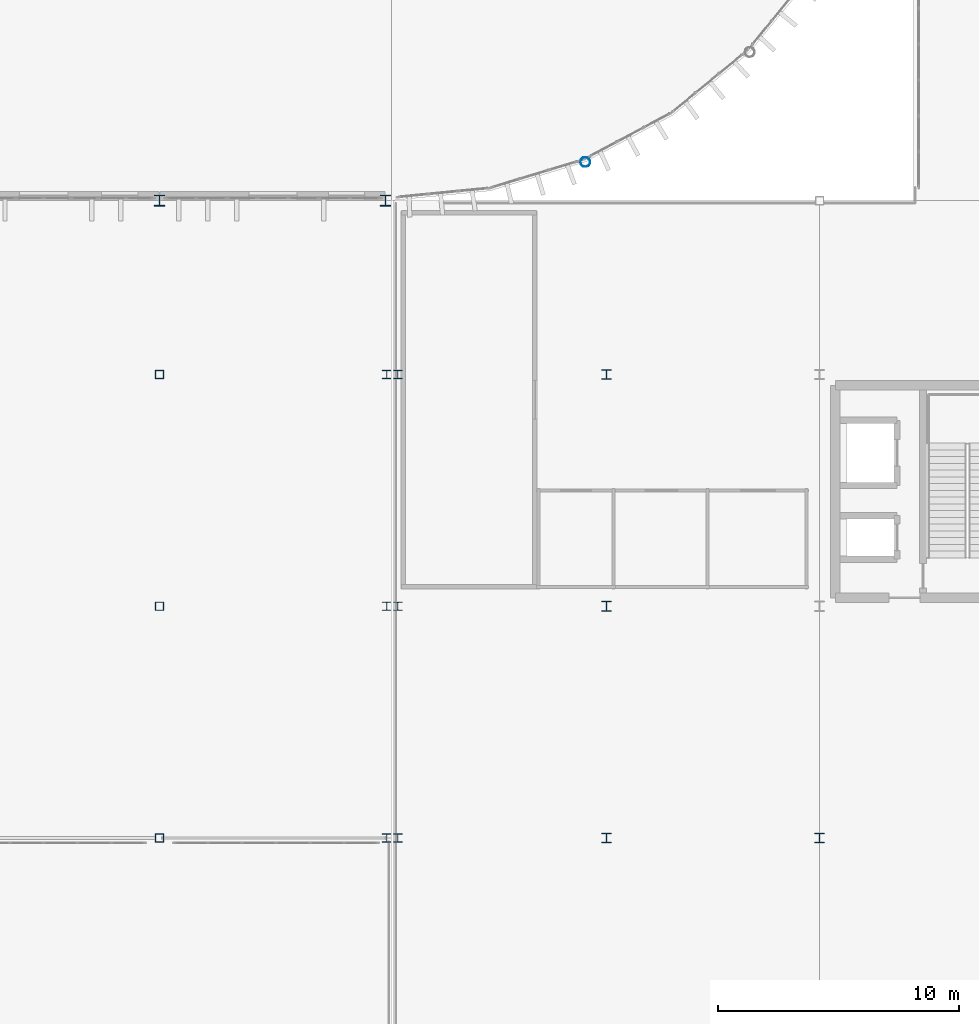
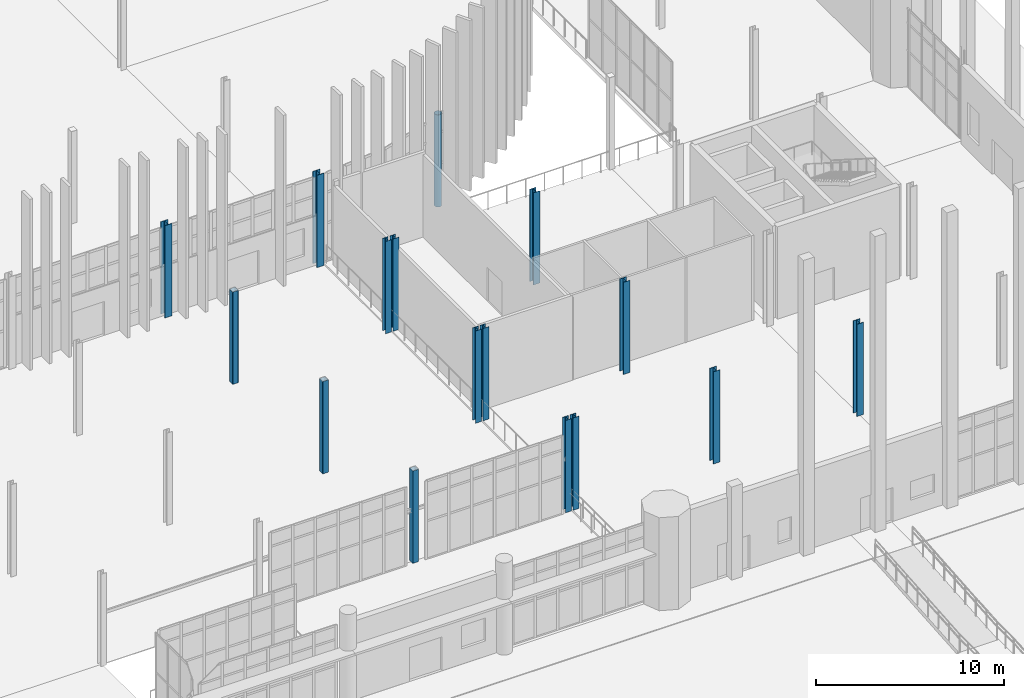
# One storey, part 17 of 139: 16 columns.
"""IFC4 building model written with IfcOpenShell, lengths in metres."""

from ifc_helpers import new_model, si_unit, direction, frame, origin, origin_2d, place, context, subcontext, project, spatial, hollow_rectangle, hollow_circle, i_section, extrude, material, material_profile, profile_set, type_object, element, save


model = new_model("IFC4")

# Units and contexts
model_context = context("Model", 3, precision=1e-05, world=origin(), true_north=direction((0.0, 1.0)))
body_context = subcontext(model_context, "Body", "Model", "MODEL_VIEW")
ifc_project = project(units=[si_unit("LENGTHUNIT", "METRE"), si_unit("AREAUNIT", "SQUARE_METRE"), si_unit("VOLUMEUNIT", "CUBIC_METRE"), si_unit("PLANEANGLEUNIT", "RADIAN"), si_unit("MASSUNIT", "GRAM", prefix="KILO")], contexts=[model_context])

# Site, building, storey
site_placement = place(None, origin())
site = spatial("IfcSite", under=ifc_project, at=site_placement, CompositionType="ELEMENT")
building_placement = place(site_placement, origin())
building = spatial("IfcBuilding", under=site, at=building_placement, Name="Yeouljin Market Hall", CompositionType="ELEMENT")
storey_placement = place(building_placement, origin())
storey = spatial("IfcBuildingStorey", under=building, at=storey_placement, Name="L00", CompositionType="ELEMENT", Elevation=0.0)

# Columns
ifc_material_1 = material(Name="Steel SM355", Category="steel")
ifc_material_profile_1 = material_profile(ifc_material_1, hollow_circle(Radius=0.203125, WallThickness=0.011962890625, at=origin_2d()), Name="CHS-406.4x12")
ifc_profile_set_1 = profile_set([ifc_material_profile_1], Name="Steel SM355")
column_type_1 = type_object("IfcColumnType", Name="Col_CHS-406.4x12", PredefinedType="COLUMN", material=ifc_profile_set_1)
column_placement = place(storey_placement, frame((149.036376953125, 37.598388671875, 0.0), z_axis=(0.0, 0.0, 1.0), x_axis=(1.0, 0.0, 0.0)))
element("IfcColumn", 1, at=column_placement, inside=storey, type_object=column_type_1, Name="Column AP-E02 (L00)", PredefinedType="COLUMN", context=body_context, shape_type="SweptSolid", body=[
    extrude(hollow_circle(Radius=0.203125, WallThickness=0.011962890625, at=origin_2d()), origin(), (0.0, 0.0, 1.0), 6.0),
])
ifc_material_2 = material(Name="Steel SM355", Category="steel")
ifc_material_profile_2 = material_profile(ifc_material_2, i_section(OverallWidth=0.35009765625, OverallDepth=0.35009765625, WebThickness=0.011962890625, FlangeThickness=0.01904296875, FilletRadius=0.02001953125, at=origin_2d()), Name="H-350x350x12x19")
ifc_profile_set_2 = profile_set([ifc_material_profile_2], Name="Steel SM355")
column_type_2 = type_object("IfcColumnType", Name="Col_H-350x350x12x19", PredefinedType="COLUMN", material=ifc_profile_set_2)
for number, where, z_axis, x_axis, name in (
    (2, (140.81005859375, 9.60009765625, 0.0), (0.0, 0.0, 1.0), (1.0, 0.0, 0.0), "Column G-16-01 (L00)"),
    (3, (140.81005859375, 19.199951171875, 0.0), (0.0, 0.0, 1.0), (1.0, 0.0, 0.0), "Column G-16-02 (L00)"),
    (4, (140.81005859375, 28.800048828125, 0.0), (0.0, 0.0, 1.0), (1.0, 0.0, 0.0), "Column G-16-03 (L00)"),
    (5, (141.27001953125, 9.60009765625, 0.0), (0.0, 0.0, 1.0), (1.0, 0.0, 0.0), "Column G-17-01 (L00)"),
    (6, (141.27001953125, 19.199951171875, 0.0), (0.0, 0.0, 1.0), (1.0, 0.0, 0.0), "Column G-17-02 (L00)"),
    (7, (141.27001953125, 28.800048828125, 0.0), (0.0, 0.0, 1.0), (1.0, 0.0, 0.0), "Column G-17-03 (L00)"),
):
    element("IfcColumn", number, at=place(storey_placement, frame(where, z_axis=z_axis, x_axis=x_axis)), inside=storey, type_object=column_type_2, Name=name, PredefinedType="COLUMN", context=body_context, shape_type="SweptSolid", body=[
        extrude(i_section(OverallWidth=0.35009765625, OverallDepth=0.35009765625, WebThickness=0.011962890625, FlangeThickness=0.01904296875, FilletRadius=0.02001953125, at=origin_2d()), origin(), (0.0, 0.0, 1.0), 6.0),
    ])
ifc_material_3 = material(Name="Steel SM355", Category="steel")
ifc_material_profile_3 = material_profile(ifc_material_3, i_section(OverallWidth=0.39990234375, OverallDepth=0.39990234375, WebThickness=0.012939453125, FlangeThickness=0.02099609375, FilletRadius=0.02197265625, at=origin_2d()), Name="H-400x400x13x21")
ifc_profile_set_3 = profile_set([ifc_material_profile_3], Name="Steel SM355")
column_type_3 = type_object("IfcColumnType", Name="Col_H-400x400x13x21", PredefinedType="COLUMN", material=ifc_profile_set_3)
for number, where, z_axis, x_axis, name in (
    (8, (149.909912109375, 9.60009765625, 0.0), (0.0, 0.0, 1.0), (1.0, 0.0, 0.0), "Column G-18-01 (L00)"),
    (9, (149.909912109375, 19.199951171875, 0.0), (0.0, 0.0, 1.0), (1.0, 0.0, 0.0), "Column G-18-02 (L00)"),
    (10, (149.909912109375, 28.800048828125, 0.0), (0.0, 0.0, 1.0), (1.0, 0.0, 0.0), "Column G-18-03 (L00)"),
    (11, (158.739990234375, 9.60009765625, 0.0), (0.0, 0.0, 1.0), (1.0, 0.0, 0.0), "Column G-19-01 (L00)"),
):
    element("IfcColumn", number, at=place(storey_placement, frame(where, z_axis=z_axis, x_axis=x_axis)), inside=storey, type_object=column_type_3, Name=name, PredefinedType="COLUMN", context=body_context, shape_type="SweptSolid", body=[
        extrude(i_section(OverallWidth=0.39990234375, OverallDepth=0.39990234375, WebThickness=0.012939453125, FlangeThickness=0.02099609375, FilletRadius=0.02197265625, at=origin_2d()), origin(), (0.0, 0.0, 1.0), 6.0),
    ])
ifc_material_4 = material(Name="Steel SM355", Category="steel")
ifc_material_profile_4 = material_profile(ifc_material_4, i_section(OverallWidth=0.449951171875, OverallDepth=0.449951171875, WebThickness=0.013916015625, FlangeThickness=0.02392578125, FilletRadius=0.02392578125, at=origin_2d()), Name="H-450x450x14x24")
ifc_profile_set_4 = profile_set([ifc_material_profile_4], Name="Steel SM355")
column_type_4 = type_object("IfcColumnType", Name="Col_H-450x450x14x24", PredefinedType="COLUMN", material=ifc_profile_set_4)
for number, where, z_axis, x_axis, name in (
    (12, (131.39990234375, 36.0, 0.0), (0.0, 0.0, 1.0), (1.0, 0.0, 0.0), "Column G-15-04 (L00)"),
    (13, (140.760009765625, 36.0, 0.0), (0.0, 0.0, 1.0), (1.0, 0.0, 0.0), "Column G-16-04 (L00)"),
):
    element("IfcColumn", number, at=place(storey_placement, frame(where, z_axis=z_axis, x_axis=x_axis)), inside=storey, type_object=column_type_4, Name=name, PredefinedType="COLUMN", context=body_context, shape_type="SweptSolid", body=[
        extrude(i_section(OverallWidth=0.449951171875, OverallDepth=0.449951171875, WebThickness=0.013916015625, FlangeThickness=0.02392578125, FilletRadius=0.02392578125, at=origin_2d()), origin(), (0.0, 0.0, 1.0), 6.0),
    ])
ifc_material_5 = material(Name="Steel SM355", Category="steel")
ifc_material_profile_5 = material_profile(ifc_material_5, hollow_rectangle(XDim=0.35009765625, YDim=0.35009765625, WallThickness=0.011962890625, InnerFilletRadius=0.011962890625, OuterFilletRadius=0.01611328125, at=origin_2d()), Name="SHS-350x350x12")
ifc_profile_set_5 = profile_set([ifc_material_profile_5], Name="Steel SM355")
column_type_5 = type_object("IfcColumnType", Name="Col_SHS-350x350x12", PredefinedType="COLUMN", material=ifc_profile_set_5)
for number, where, z_axis, x_axis, name in (
    (14, (131.39990234375, 9.60009765625, 0.0), (0.0, 0.0, 1.0), (1.0, 0.0, 0.0), "Column G-15-01 (L00)"),
    (15, (131.39990234375, 19.199951171875, 0.0), (0.0, 0.0, 1.0), (1.0, 0.0, 0.0), "Column G-15-02 (L00)"),
    (16, (131.39990234375, 28.800048828125, 0.0), (0.0, 0.0, 1.0), (1.0, 0.0, 0.0), "Column G-15-03 (L00)"),
):
    element("IfcColumn", number, at=place(storey_placement, frame(where, z_axis=z_axis, x_axis=x_axis)), inside=storey, type_object=column_type_5, Name=name, PredefinedType="COLUMN", context=body_context, shape_type="SweptSolid", body=[
        extrude(hollow_rectangle(XDim=0.35009765625, YDim=0.35009765625, WallThickness=0.011962890625, InnerFilletRadius=0.011962890625, OuterFilletRadius=0.01611328125, at=origin_2d()), origin(), (0.0, 0.0, 1.0), 6.0),
    ])

save(model, "model.ifc")
